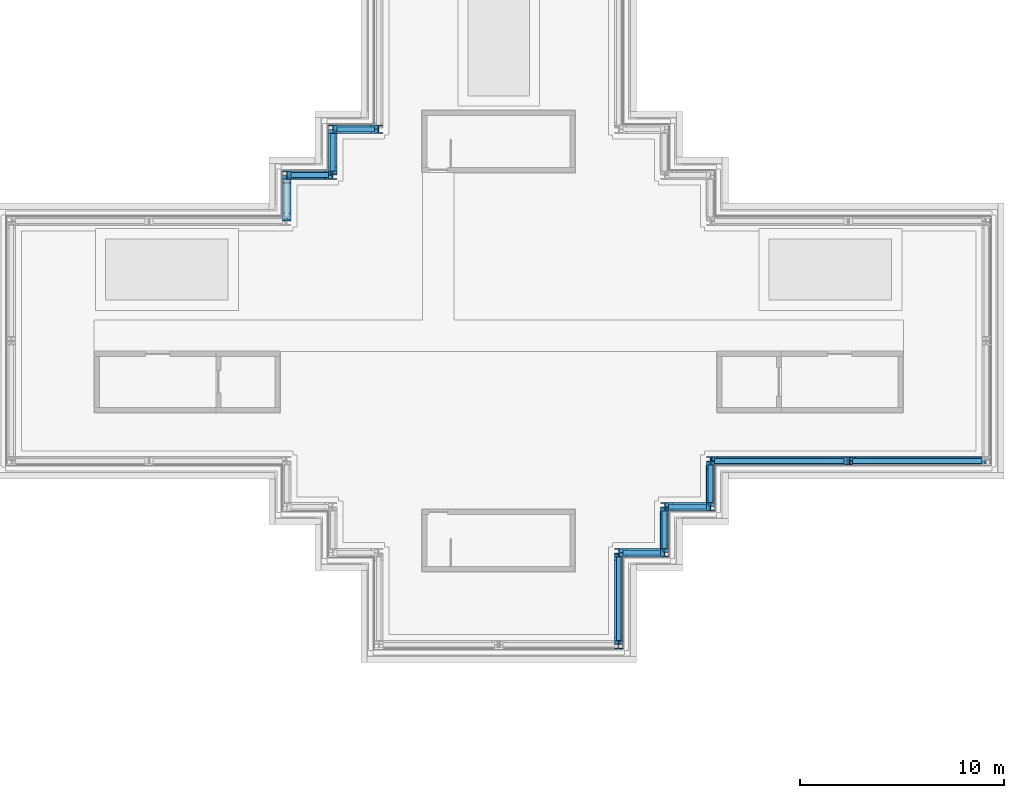
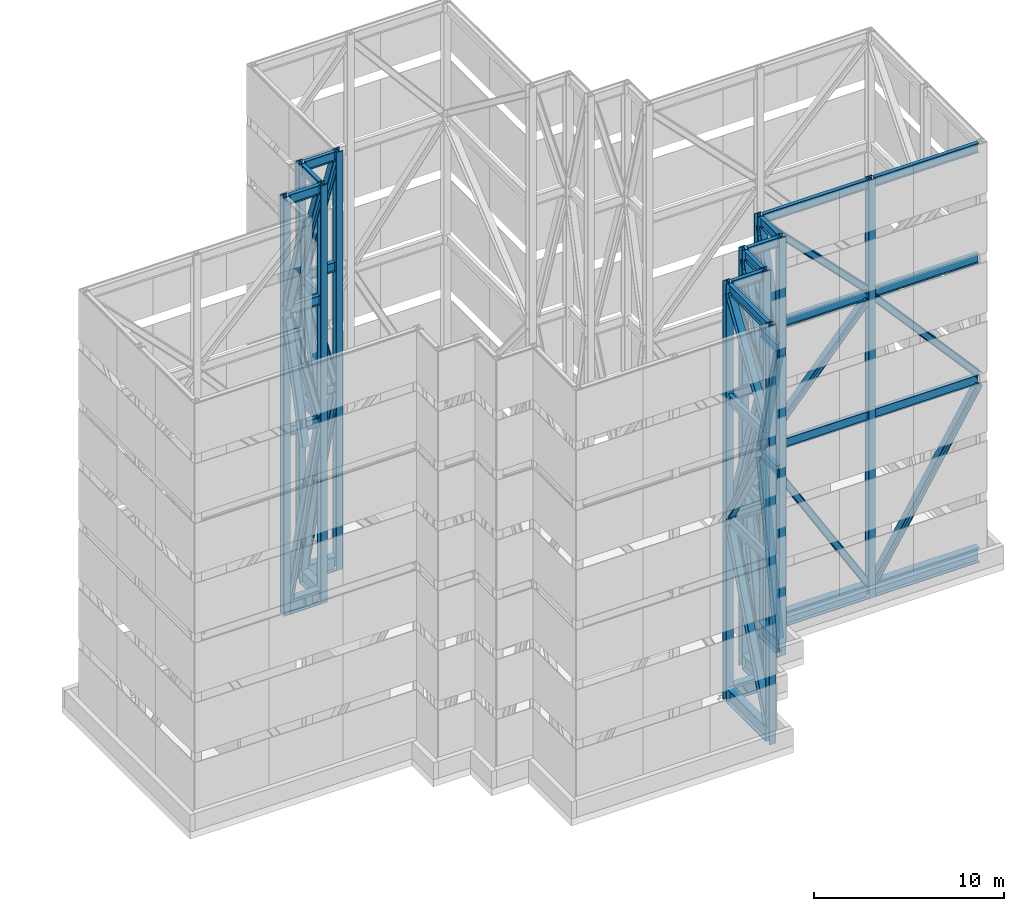
# One storey, part 6 of 19: 82 members.
"""IFC4 building model written with IfcOpenShell, lengths in metres."""

from ifc_helpers import new_model, si_unit, direction, frame, origin, origin_2d, place, context, subcontext, project, spatial, i_section, extrude, material, material_profile, profile_set, type_object, element, save


model = new_model("IFC4")

# Units and contexts
model_context = context("Model", 3, precision=1e-05, world=origin(), true_north=direction((0.0, 1.0)))
body_context = subcontext(model_context, "Body", "Model", "MODEL_VIEW")
ifc_project = project(units=[si_unit("LENGTHUNIT", "METRE"), si_unit("AREAUNIT", "SQUARE_METRE"), si_unit("VOLUMEUNIT", "CUBIC_METRE"), si_unit("PLANEANGLEUNIT", "RADIAN"), si_unit("MASSUNIT", "GRAM", prefix="KILO")], contexts=[model_context])

# Site, building, storey
site_placement = place(None, origin())
site = spatial("IfcSite", under=ifc_project, at=site_placement, CompositionType="ELEMENT")
building_placement = place(site_placement, origin())
building = spatial("IfcBuilding", under=site, at=building_placement, Name="Shamsa Quay Exchange Towers", CompositionType="ELEMENT")
storey_placement = place(building_placement, frame((0.0, 0.0, 284.300048828125)))
storey = spatial("IfcBuildingStorey", under=building, at=storey_placement, Name="Roof", CompositionType="ELEMENT", Elevation=284.300048828125)

# Members
ifc_material = material(Name="Steel S355", Category="steel")
ifc_material_profile_1 = material_profile(ifc_material, i_section(OverallWidth=0.423095703125, OverallDepth=0.947265625, WebThickness=0.02392578125, FlangeThickness=0.042724609375, at=origin_2d()), Name="W36x302")
ifc_profile_set_1 = profile_set([ifc_material_profile_1], Name="Steel S355")
member_type_1 = type_object("IfcMemberType", Name="Crown frame base ring girder W36x302", PredefinedType="USERDEFINED", material=ifc_profile_set_1)
member_1_placement = place(storey_placement, frame((39.625, -14.6669921875, 0.4736328125), z_axis=(0.0, 1.0, 0.0), x_axis=(-1.0, 0.0, 0.0)))
element("IfcMember", 1, at=member_1_placement, inside=storey, type_object=member_type_1, Name="Crown frame base ring girder T2", ObjectType="CROWN FRAME", PredefinedType="USERDEFINED", context=body_context, shape_type="SweptSolid", body=[
    extrude(i_section(OverallWidth=0.423095703125, OverallDepth=0.947265625, WebThickness=0.02392578125, FlangeThickness=0.042724609375, at=origin_2d()), origin(), (0.0, 0.0, 1.0), 4.083984375),
])
member_2_placement = place(storey_placement, frame((39.828125, -10.375, 0.4736328125), z_axis=(1.0, 0.0, 0.0), x_axis=(0.0, 1.0, 0.0)))
element("IfcMember", 2, at=member_2_placement, inside=storey, type_object=member_type_1, Name="Crown frame base ring girder T2", ObjectType="CROWN FRAME", PredefinedType="USERDEFINED", context=body_context, shape_type="SweptSolid", body=[
    extrude(i_section(OverallWidth=0.423095703125, OverallDepth=0.947265625, WebThickness=0.02392578125, FlangeThickness=0.042724609375, at=origin_2d()), origin(), (0.0, 0.0, 1.0), 1.84375),
])
member_3_placement = place(storey_placement, frame((41.875, -10.1669921875, 0.4736328125), z_axis=(0.0, 1.0, 0.0), x_axis=(-1.0, 0.0, 0.0)))
element("IfcMember", 3, at=member_3_placement, inside=storey, type_object=member_type_1, Name="Crown frame base ring girder T2", ObjectType="CROWN FRAME", PredefinedType="USERDEFINED", context=body_context, shape_type="SweptSolid", body=[
    extrude(i_section(OverallWidth=0.423095703125, OverallDepth=0.947265625, WebThickness=0.02392578125, FlangeThickness=0.042724609375, at=origin_2d()), origin(), (0.0, 0.0, 1.0), 1.833984375),
])
member_4_placement = place(storey_placement, frame((42.078125, -8.125, 0.4736328125), z_axis=(1.0, 0.0, 0.0), x_axis=(0.0, 1.0, 0.0)))
element("IfcMember", 4, at=member_4_placement, inside=storey, type_object=member_type_1, Name="Crown frame base ring girder T2", ObjectType="CROWN FRAME", PredefinedType="USERDEFINED", context=body_context, shape_type="SweptSolid", body=[
    extrude(i_section(OverallWidth=0.423095703125, OverallDepth=0.947265625, WebThickness=0.02392578125, FlangeThickness=0.042724609375, at=origin_2d()), origin(), (0.0, 0.0, 1.0), 1.84375),
])
member_5_placement = place(storey_placement, frame((44.125, -7.9169921875, 0.4736328125), z_axis=(0.0, 1.0, 0.0), x_axis=(-1.0, 0.0, 0.0)))
element("IfcMember", 5, at=member_5_placement, inside=storey, type_object=member_type_1, Name="Crown frame base ring girder T2", ObjectType="CROWN FRAME", PredefinedType="USERDEFINED", context=body_context, shape_type="SweptSolid", body=[
    extrude(i_section(OverallWidth=0.423095703125, OverallDepth=0.947265625, WebThickness=0.02392578125, FlangeThickness=0.042724609375, at=origin_2d()), origin(), (0.0, 0.0, 1.0), 1.833984375),
])
for number, where, z_axis, x_axis, name in (
    (6, (44.328125, -5.875, 0.4736328125), (1.0, 0.0, 0.0), (0.0, 1.0, 0.0), "Crown frame base ring girder T2"),
    (7, (51.078125, -5.875, 0.4736328125), (1.0, 0.0, 0.0), (0.0, 1.0, 0.0), "Crown frame base ring girder T2"),
):
    element("IfcMember", number, at=place(storey_placement, frame(where, z_axis=z_axis, x_axis=x_axis)), inside=storey, type_object=member_type_1, Name=name, ObjectType="CROWN FRAME", PredefinedType="USERDEFINED", context=body_context, shape_type="SweptSolid", body=[
        extrude(i_section(OverallWidth=0.423095703125, OverallDepth=0.947265625, WebThickness=0.02392578125, FlangeThickness=0.042724609375, at=origin_2d()), origin(), (0.0, 0.0, 1.0), 6.34375),
    ])
member_6_placement = place(storey_placement, frame((27.671875, 10.375, 0.4736328125), z_axis=(-1.0, 0.0, 0.0), x_axis=(0.0, -1.0, 0.0)))
element("IfcMember", 8, at=member_6_placement, inside=storey, type_object=member_type_1, Name="Crown frame base ring girder T2", ObjectType="CROWN FRAME", PredefinedType="USERDEFINED", context=body_context, shape_type="SweptSolid", body=[
    extrude(i_section(OverallWidth=0.423095703125, OverallDepth=0.947265625, WebThickness=0.02392578125, FlangeThickness=0.042724609375, at=origin_2d()), origin(), (0.0, 0.0, 1.0), 1.84375),
])
member_7_placement = place(storey_placement, frame((25.625, 10.1669921875, 0.4736328125), z_axis=(0.0, -1.0, 0.0), x_axis=(1.0, 0.0, 0.0)))
element("IfcMember", 9, at=member_7_placement, inside=storey, type_object=member_type_1, Name="Crown frame base ring girder T2", ObjectType="CROWN FRAME", PredefinedType="USERDEFINED", context=body_context, shape_type="SweptSolid", body=[
    extrude(i_section(OverallWidth=0.423095703125, OverallDepth=0.947265625, WebThickness=0.02392578125, FlangeThickness=0.042724609375, at=origin_2d()), origin(), (0.0, 0.0, 1.0), 1.833984375),
])
member_8_placement = place(storey_placement, frame((25.421875, 8.125, 0.4736328125), z_axis=(-1.0, 0.0, 0.0), x_axis=(0.0, -1.0, 0.0)))
element("IfcMember", 10, at=member_8_placement, inside=storey, type_object=member_type_1, Name="Crown frame base ring girder T2", ObjectType="CROWN FRAME", PredefinedType="USERDEFINED", context=body_context, shape_type="SweptSolid", body=[
    extrude(i_section(OverallWidth=0.423095703125, OverallDepth=0.947265625, WebThickness=0.02392578125, FlangeThickness=0.042724609375, at=origin_2d()), origin(), (0.0, 0.0, 1.0), 1.84375),
])
ifc_material_profile_2 = material_profile(ifc_material, i_section(OverallWidth=0.403564453125, OverallDepth=0.407470703125, WebThickness=0.027099609375, FlangeThickness=0.043701171875, at=origin_2d()), Name="W14x233")
ifc_profile_set_2 = profile_set([ifc_material_profile_2], Name="Steel S355")
member_type_2 = type_object("IfcMemberType", Name="Crown frame brace W14x233", PredefinedType="USERDEFINED", material=ifc_profile_set_2)
member_9_placement = place(storey_placement, frame((39.625, -14.6669921875, 0.947265625), z_axis=(0.0, 0.364106342135, 0.931357381254), x_axis=(-1.0, 0.0, 0.0)))
element("IfcMember", 11, at=member_9_placement, inside=storey, type_object=member_type_2, Name="Crown frame brace T2", ObjectType="CROWN FRAME", PredefinedType="USERDEFINED", context=body_context, shape_type="SweptSolid", body=[
    extrude(i_section(OverallWidth=0.403564453125, OverallDepth=0.407470703125, WebThickness=0.027099609375, FlangeThickness=0.043701171875, at=origin_2d()), origin(), (0.0, 0.0, 1.0), 11.216552734375),
])
member_10_placement = place(storey_placement, frame((39.625, -14.6669921875, 19.19384765625), z_axis=(0.0, 0.494012959299, -0.869454539378), x_axis=(-1.0, 0.0, 0.0)))
element("IfcMember", 12, at=member_10_placement, inside=storey, type_object=member_type_2, Name="Crown frame brace T2", ObjectType="CROWN FRAME", PredefinedType="USERDEFINED", context=body_context, shape_type="SweptSolid", body=[
    extrude(i_section(OverallWidth=0.403564453125, OverallDepth=0.407470703125, WebThickness=0.027099609375, FlangeThickness=0.043701171875, at=origin_2d()), origin(), (0.0, 0.0, 1.0), 8.266845703125),
])
member_11_placement = place(storey_placement, frame((39.625, -14.6669921875, 19.805908203125), z_axis=(0.0, 0.533071874958, 0.846069959358), x_axis=(-1.0, 0.0, 0.0)))
element("IfcMember", 13, at=member_11_placement, inside=storey, type_object=member_type_2, Name="Crown frame brace T2", ObjectType="CROWN FRAME", PredefinedType="USERDEFINED", context=body_context, shape_type="SweptSolid", body=[
    extrude(i_section(OverallWidth=0.403564453125, OverallDepth=0.407470703125, WebThickness=0.027099609375, FlangeThickness=0.043701171875, at=origin_2d()), origin(), (0.0, 0.0, 1.0), 7.6611328125),
])
member_12_placement = place(storey_placement, frame((39.828125, -10.375, 11.393798828125), z_axis=(0.173807653572, 0.0, -0.984779619793), x_axis=(0.0, 1.0, 0.0)))
element("IfcMember", 14, at=member_12_placement, inside=storey, type_object=member_type_2, Name="Crown frame brace T2", ObjectType="CROWN FRAME", PredefinedType="USERDEFINED", context=body_context, shape_type="SweptSolid", body=[
    extrude(i_section(OverallWidth=0.403564453125, OverallDepth=0.407470703125, WebThickness=0.027099609375, FlangeThickness=0.043701171875, at=origin_2d()), origin(), (0.0, 0.0, 1.0), 10.60791015625),
])
member_13_placement = place(storey_placement, frame((39.828125, -10.375, 12.006103515625), z_axis=(0.248468754818, 0.0, 0.96863991136), x_axis=(0.0, 1.0, 0.0)))
element("IfcMember", 15, at=member_13_placement, inside=storey, type_object=member_type_2, Name="Crown frame brace T2", ObjectType="CROWN FRAME", PredefinedType="USERDEFINED", context=body_context, shape_type="SweptSolid", body=[
    extrude(i_section(OverallWidth=0.403564453125, OverallDepth=0.407470703125, WebThickness=0.027099609375, FlangeThickness=0.043701171875, at=origin_2d()), origin(), (0.0, 0.0, 1.0), 7.42041015625),
])
member_14_placement = place(storey_placement, frame((39.828125, -10.375, 26.287841796875), z_axis=(0.27359172731, 0.0, -0.961845916323), x_axis=(0.0, 1.0, 0.0)))
element("IfcMember", 16, at=member_14_placement, inside=storey, type_object=member_type_2, Name="Crown frame brace T2", ObjectType="CROWN FRAME", PredefinedType="USERDEFINED", context=body_context, shape_type="SweptSolid", body=[
    extrude(i_section(OverallWidth=0.403564453125, OverallDepth=0.407470703125, WebThickness=0.027099609375, FlangeThickness=0.043701171875, at=origin_2d()), origin(), (0.0, 0.0, 1.0), 6.739013671875),
])
member_15_placement = place(storey_placement, frame((41.875, -10.1669921875, 0.947265625), z_axis=(0.0, 0.17291465847, 0.984936810606), x_axis=(-1.0, 0.0, 0.0)))
element("IfcMember", 17, at=member_15_placement, inside=storey, type_object=member_type_2, Name="Crown frame brace T2", ObjectType="CROWN FRAME", PredefinedType="USERDEFINED", context=body_context, shape_type="SweptSolid", body=[
    extrude(i_section(OverallWidth=0.403564453125, OverallDepth=0.407470703125, WebThickness=0.027099609375, FlangeThickness=0.043701171875, at=origin_2d()), origin(), (0.0, 0.0, 1.0), 10.606201171875),
])
member_16_placement = place(storey_placement, frame((41.875, -10.1669921875, 19.19384765625), z_axis=(0.0, 0.247233355894, -0.968955967902), x_axis=(-1.0, 0.0, 0.0)))
element("IfcMember", 18, at=member_16_placement, inside=storey, type_object=member_type_2, Name="Crown frame brace T2", ObjectType="CROWN FRAME", PredefinedType="USERDEFINED", context=body_context, shape_type="SweptSolid", body=[
    extrude(i_section(OverallWidth=0.403564453125, OverallDepth=0.407470703125, WebThickness=0.027099609375, FlangeThickness=0.043701171875, at=origin_2d()), origin(), (0.0, 0.0, 1.0), 7.41796875),
])
member_17_placement = place(storey_placement, frame((41.875, -10.1669921875, 19.805908203125), z_axis=(0.0, 0.272250291508, 0.962226469587), x_axis=(-1.0, 0.0, 0.0)))
element("IfcMember", 19, at=member_17_placement, inside=storey, type_object=member_type_2, Name="Crown frame brace T2", ObjectType="CROWN FRAME", PredefinedType="USERDEFINED", context=body_context, shape_type="SweptSolid", body=[
    extrude(i_section(OverallWidth=0.403564453125, OverallDepth=0.407470703125, WebThickness=0.027099609375, FlangeThickness=0.043701171875, at=origin_2d()), origin(), (0.0, 0.0, 1.0), 6.736328125),
])
member_18_placement = place(storey_placement, frame((42.078125, -8.125, 11.393798828125), z_axis=(0.173807653572, 0.0, -0.984779619793), x_axis=(0.0, 1.0, 0.0)))
element("IfcMember", 20, at=member_18_placement, inside=storey, type_object=member_type_2, Name="Crown frame brace T2", ObjectType="CROWN FRAME", PredefinedType="USERDEFINED", context=body_context, shape_type="SweptSolid", body=[
    extrude(i_section(OverallWidth=0.403564453125, OverallDepth=0.407470703125, WebThickness=0.027099609375, FlangeThickness=0.043701171875, at=origin_2d()), origin(), (0.0, 0.0, 1.0), 10.60791015625),
])
member_19_placement = place(storey_placement, frame((42.078125, -8.125, 12.006103515625), z_axis=(0.248468754818, 0.0, 0.96863991136), x_axis=(0.0, 1.0, 0.0)))
element("IfcMember", 21, at=member_19_placement, inside=storey, type_object=member_type_2, Name="Crown frame brace T2", ObjectType="CROWN FRAME", PredefinedType="USERDEFINED", context=body_context, shape_type="SweptSolid", body=[
    extrude(i_section(OverallWidth=0.403564453125, OverallDepth=0.407470703125, WebThickness=0.027099609375, FlangeThickness=0.043701171875, at=origin_2d()), origin(), (0.0, 0.0, 1.0), 7.42041015625),
])
member_20_placement = place(storey_placement, frame((42.078125, -8.125, 26.287841796875), z_axis=(0.27359172731, 0.0, -0.961845916323), x_axis=(0.0, 1.0, 0.0)))
element("IfcMember", 22, at=member_20_placement, inside=storey, type_object=member_type_2, Name="Crown frame brace T2", ObjectType="CROWN FRAME", PredefinedType="USERDEFINED", context=body_context, shape_type="SweptSolid", body=[
    extrude(i_section(OverallWidth=0.403564453125, OverallDepth=0.407470703125, WebThickness=0.027099609375, FlangeThickness=0.043701171875, at=origin_2d()), origin(), (0.0, 0.0, 1.0), 6.739013671875),
])
member_21_placement = place(storey_placement, frame((44.125, -7.9169921875, 0.947265625), z_axis=(0.0, 0.17291465847, 0.984936810606), x_axis=(-1.0, 0.0, 0.0)))
element("IfcMember", 23, at=member_21_placement, inside=storey, type_object=member_type_2, Name="Crown frame brace T2", ObjectType="CROWN FRAME", PredefinedType="USERDEFINED", context=body_context, shape_type="SweptSolid", body=[
    extrude(i_section(OverallWidth=0.403564453125, OverallDepth=0.407470703125, WebThickness=0.027099609375, FlangeThickness=0.043701171875, at=origin_2d()), origin(), (0.0, 0.0, 1.0), 10.606201171875),
])
member_22_placement = place(storey_placement, frame((44.125, -7.9169921875, 19.19384765625), z_axis=(0.0, 0.247233355894, -0.968955967902), x_axis=(-1.0, 0.0, 0.0)))
element("IfcMember", 24, at=member_22_placement, inside=storey, type_object=member_type_2, Name="Crown frame brace T2", ObjectType="CROWN FRAME", PredefinedType="USERDEFINED", context=body_context, shape_type="SweptSolid", body=[
    extrude(i_section(OverallWidth=0.403564453125, OverallDepth=0.407470703125, WebThickness=0.027099609375, FlangeThickness=0.043701171875, at=origin_2d()), origin(), (0.0, 0.0, 1.0), 7.41796875),
])
member_23_placement = place(storey_placement, frame((44.125, -7.9169921875, 19.805908203125), z_axis=(0.0, 0.272250291508, 0.962226469587), x_axis=(-1.0, 0.0, 0.0)))
element("IfcMember", 25, at=member_23_placement, inside=storey, type_object=member_type_2, Name="Crown frame brace T2", ObjectType="CROWN FRAME", PredefinedType="USERDEFINED", context=body_context, shape_type="SweptSolid", body=[
    extrude(i_section(OverallWidth=0.403564453125, OverallDepth=0.407470703125, WebThickness=0.027099609375, FlangeThickness=0.043701171875, at=origin_2d()), origin(), (0.0, 0.0, 1.0), 6.736328125),
])
member_24_placement = place(storey_placement, frame((44.328125, -5.875, 11.393798828125), z_axis=(0.519050588784, 0.0, -0.854743520761), x_axis=(0.0, 1.0, 0.0)))
element("IfcMember", 26, at=member_24_placement, inside=storey, type_object=member_type_2, Name="Crown frame brace T2", ObjectType="CROWN FRAME", PredefinedType="USERDEFINED", context=body_context, shape_type="SweptSolid", body=[
    extrude(i_section(OverallWidth=0.403564453125, OverallDepth=0.407470703125, WebThickness=0.027099609375, FlangeThickness=0.043701171875, at=origin_2d()), origin(), (0.0, 0.0, 1.0), 12.221923828125),
])
member_25_placement = place(storey_placement, frame((44.328125, -5.875, 12.006103515625), z_axis=(0.661716808405, 0.0, 0.74975386993), x_axis=(0.0, 1.0, 0.0)))
element("IfcMember", 27, at=member_25_placement, inside=storey, type_object=member_type_2, Name="Crown frame brace T2", ObjectType="CROWN FRAME", PredefinedType="USERDEFINED", context=body_context, shape_type="SweptSolid", body=[
    extrude(i_section(OverallWidth=0.403564453125, OverallDepth=0.407470703125, WebThickness=0.027099609375, FlangeThickness=0.043701171875, at=origin_2d()), origin(), (0.0, 0.0, 1.0), 9.5869140625),
])
member_26_placement = place(storey_placement, frame((44.328125, -5.875, 26.287841796875), z_axis=(0.699447836177, 0.0, -0.714683653421), x_axis=(0.0, 1.0, 0.0)))
element("IfcMember", 28, at=member_26_placement, inside=storey, type_object=member_type_2, Name="Crown frame brace T2", ObjectType="CROWN FRAME", PredefinedType="USERDEFINED", context=body_context, shape_type="SweptSolid", body=[
    extrude(i_section(OverallWidth=0.403564453125, OverallDepth=0.407470703125, WebThickness=0.027099609375, FlangeThickness=0.043701171875, at=origin_2d()), origin(), (0.0, 0.0, 1.0), 9.069580078125),
])
member_27_placement = place(storey_placement, frame((51.078125, -5.875, 0.947265625), z_axis=(0.519050588784, 0.0, 0.854743520761), x_axis=(0.0, 1.0, 0.0)))
element("IfcMember", 29, at=member_27_placement, inside=storey, type_object=member_type_2, Name="Crown frame brace T2", ObjectType="CROWN FRAME", PredefinedType="USERDEFINED", context=body_context, shape_type="SweptSolid", body=[
    extrude(i_section(OverallWidth=0.403564453125, OverallDepth=0.407470703125, WebThickness=0.027099609375, FlangeThickness=0.043701171875, at=origin_2d()), origin(), (0.0, 0.0, 1.0), 12.221923828125),
])
member_28_placement = place(storey_placement, frame((51.078125, -5.875, 19.19384765625), z_axis=(0.661716808405, 0.0, -0.74975386993), x_axis=(0.0, 1.0, 0.0)))
element("IfcMember", 30, at=member_28_placement, inside=storey, type_object=member_type_2, Name="Crown frame brace T2", ObjectType="CROWN FRAME", PredefinedType="USERDEFINED", context=body_context, shape_type="SweptSolid", body=[
    extrude(i_section(OverallWidth=0.403564453125, OverallDepth=0.407470703125, WebThickness=0.027099609375, FlangeThickness=0.043701171875, at=origin_2d()), origin(), (0.0, 0.0, 1.0), 9.5869140625),
])
member_29_placement = place(storey_placement, frame((27.671875, 10.375, 11.393798828125), z_axis=(-0.173807653572, 0.0, -0.984779619793), x_axis=(0.0, -1.0, 0.0)))
element("IfcMember", 31, at=member_29_placement, inside=storey, type_object=member_type_2, Name="Crown frame brace T2", ObjectType="CROWN FRAME", PredefinedType="USERDEFINED", context=body_context, shape_type="SweptSolid", body=[
    extrude(i_section(OverallWidth=0.403564453125, OverallDepth=0.407470703125, WebThickness=0.027099609375, FlangeThickness=0.043701171875, at=origin_2d()), origin(), (0.0, 0.0, 1.0), 10.60791015625),
])
member_30_placement = place(storey_placement, frame((27.671875, 10.375, 12.006103515625), z_axis=(-0.248468754818, 0.0, 0.96863991136), x_axis=(0.0, -1.0, 0.0)))
element("IfcMember", 32, at=member_30_placement, inside=storey, type_object=member_type_2, Name="Crown frame brace T2", ObjectType="CROWN FRAME", PredefinedType="USERDEFINED", context=body_context, shape_type="SweptSolid", body=[
    extrude(i_section(OverallWidth=0.403564453125, OverallDepth=0.407470703125, WebThickness=0.027099609375, FlangeThickness=0.043701171875, at=origin_2d()), origin(), (0.0, 0.0, 1.0), 7.42041015625),
])
member_31_placement = place(storey_placement, frame((27.671875, 10.375, 26.287841796875), z_axis=(-0.27359172731, 0.0, -0.961845916323), x_axis=(0.0, -1.0, 0.0)))
element("IfcMember", 33, at=member_31_placement, inside=storey, type_object=member_type_2, Name="Crown frame brace T2", ObjectType="CROWN FRAME", PredefinedType="USERDEFINED", context=body_context, shape_type="SweptSolid", body=[
    extrude(i_section(OverallWidth=0.403564453125, OverallDepth=0.407470703125, WebThickness=0.027099609375, FlangeThickness=0.043701171875, at=origin_2d()), origin(), (0.0, 0.0, 1.0), 6.739013671875),
])
member_32_placement = place(storey_placement, frame((25.625, 10.1669921875, 0.947265625), z_axis=(0.0, -0.17291465847, 0.984936810606), x_axis=(1.0, 0.0, 0.0)))
element("IfcMember", 34, at=member_32_placement, inside=storey, type_object=member_type_2, Name="Crown frame brace T2", ObjectType="CROWN FRAME", PredefinedType="USERDEFINED", context=body_context, shape_type="SweptSolid", body=[
    extrude(i_section(OverallWidth=0.403564453125, OverallDepth=0.407470703125, WebThickness=0.027099609375, FlangeThickness=0.043701171875, at=origin_2d()), origin(), (0.0, 0.0, 1.0), 10.606201171875),
])
member_33_placement = place(storey_placement, frame((25.625, 10.1669921875, 19.19384765625), z_axis=(0.0, -0.247233355894, -0.968955967902), x_axis=(1.0, 0.0, 0.0)))
element("IfcMember", 35, at=member_33_placement, inside=storey, type_object=member_type_2, Name="Crown frame brace T2", ObjectType="CROWN FRAME", PredefinedType="USERDEFINED", context=body_context, shape_type="SweptSolid", body=[
    extrude(i_section(OverallWidth=0.403564453125, OverallDepth=0.407470703125, WebThickness=0.027099609375, FlangeThickness=0.043701171875, at=origin_2d()), origin(), (0.0, 0.0, 1.0), 7.41796875),
])
member_34_placement = place(storey_placement, frame((25.625, 10.1669921875, 19.805908203125), z_axis=(0.0, -0.272250291508, 0.962226469587), x_axis=(1.0, 0.0, 0.0)))
element("IfcMember", 36, at=member_34_placement, inside=storey, type_object=member_type_2, Name="Crown frame brace T2", ObjectType="CROWN FRAME", PredefinedType="USERDEFINED", context=body_context, shape_type="SweptSolid", body=[
    extrude(i_section(OverallWidth=0.403564453125, OverallDepth=0.407470703125, WebThickness=0.027099609375, FlangeThickness=0.043701171875, at=origin_2d()), origin(), (0.0, 0.0, 1.0), 6.736328125),
])
member_35_placement = place(storey_placement, frame((25.421875, 8.125, 11.393798828125), z_axis=(-0.173807653572, 0.0, -0.984779619793), x_axis=(0.0, -1.0, 0.0)))
element("IfcMember", 37, at=member_35_placement, inside=storey, type_object=member_type_2, Name="Crown frame brace T2", ObjectType="CROWN FRAME", PredefinedType="USERDEFINED", context=body_context, shape_type="SweptSolid", body=[
    extrude(i_section(OverallWidth=0.403564453125, OverallDepth=0.407470703125, WebThickness=0.027099609375, FlangeThickness=0.043701171875, at=origin_2d()), origin(), (0.0, 0.0, 1.0), 10.60791015625),
])
member_36_placement = place(storey_placement, frame((25.421875, 8.125, 12.006103515625), z_axis=(-0.248468754818, 0.0, 0.96863991136), x_axis=(0.0, -1.0, 0.0)))
element("IfcMember", 38, at=member_36_placement, inside=storey, type_object=member_type_2, Name="Crown frame brace T2", ObjectType="CROWN FRAME", PredefinedType="USERDEFINED", context=body_context, shape_type="SweptSolid", body=[
    extrude(i_section(OverallWidth=0.403564453125, OverallDepth=0.407470703125, WebThickness=0.027099609375, FlangeThickness=0.043701171875, at=origin_2d()), origin(), (0.0, 0.0, 1.0), 7.42041015625),
])
member_37_placement = place(storey_placement, frame((25.421875, 8.125, 26.287841796875), z_axis=(-0.27359172731, 0.0, -0.961845916323), x_axis=(0.0, -1.0, 0.0)))
element("IfcMember", 39, at=member_37_placement, inside=storey, type_object=member_type_2, Name="Crown frame brace T2", ObjectType="CROWN FRAME", PredefinedType="USERDEFINED", context=body_context, shape_type="SweptSolid", body=[
    extrude(i_section(OverallWidth=0.403564453125, OverallDepth=0.407470703125, WebThickness=0.027099609375, FlangeThickness=0.043701171875, at=origin_2d()), origin(), (0.0, 0.0, 1.0), 6.739013671875),
])
member_38_placement = place(storey_placement, frame((23.375, 7.9169921875, 19.19384765625), z_axis=(0.0, -0.247233355894, -0.968955967902), x_axis=(1.0, 0.0, 0.0)))
element("IfcMember", 40, at=member_38_placement, inside=storey, type_object=member_type_2, Name="Crown frame brace T2", ObjectType="CROWN FRAME", PredefinedType="USERDEFINED", context=body_context, shape_type="SweptSolid", body=[
    extrude(i_section(OverallWidth=0.403564453125, OverallDepth=0.407470703125, WebThickness=0.027099609375, FlangeThickness=0.043701171875, at=origin_2d()), origin(), (0.0, 0.0, 1.0), 7.41796875),
])
member_39_placement = place(storey_placement, frame((23.375, 7.9169921875, 19.805908203125), z_axis=(0.0, -0.272250291508, 0.962226469587), x_axis=(1.0, 0.0, 0.0)))
element("IfcMember", 41, at=member_39_placement, inside=storey, type_object=member_type_2, Name="Crown frame brace T2", ObjectType="CROWN FRAME", PredefinedType="USERDEFINED", context=body_context, shape_type="SweptSolid", body=[
    extrude(i_section(OverallWidth=0.403564453125, OverallDepth=0.407470703125, WebThickness=0.027099609375, FlangeThickness=0.043701171875, at=origin_2d()), origin(), (0.0, 0.0, 1.0), 6.736328125),
])
ifc_material_profile_3 = material_profile(ifc_material, i_section(OverallWidth=0.40625, OverallDepth=0.416015625, WebThickness=0.02978515625, FlangeThickness=0.048095703125, at=origin_2d()), Name="W14x257")
ifc_profile_set_3 = profile_set([ifc_material_profile_3], Name="Steel S355")
member_type_3 = type_object("IfcMemberType", Name="Crown frame post W14x257", PredefinedType="USERDEFINED", material=ifc_profile_set_3)
for number, where, name in (
    (42, (39.625, -14.875, 0.0), "Crown frame post T2"),
    (43, (39.625, -10.375, 0.0), "Crown frame post T2"),
    (44, (41.875, -10.375, 0.0), "Crown frame post T2"),
    (45, (41.875, -8.125, 0.0), "Crown frame post T2"),
    (46, (44.125, -8.125, 0.0), "Crown frame post T2"),
    (47, (44.125, -5.875, 0.0), "Crown frame post T2"),
    (48, (50.875, -5.875, 0.0), "Crown frame post T2"),
    (49, (27.875, 10.375, 0.0), "Crown frame post T2"),
    (50, (25.625, 10.375, 0.0), "Crown frame post T2"),
    (51, (25.625, 8.125, 0.0), "Crown frame post T2"),
    (52, (23.375, 8.125, 0.0), "Crown frame post T2"),
):
    element("IfcMember", number, at=place(storey_placement, frame(where)), inside=storey, type_object=member_type_3, Name=name, ObjectType="CROWN FRAME", PredefinedType="USERDEFINED", context=body_context, shape_type="SweptSolid", body=[
        extrude(i_section(OverallWidth=0.40625, OverallDepth=0.416015625, WebThickness=0.02978515625, FlangeThickness=0.048095703125, at=origin_2d()), origin(), (0.0, 0.0, 1.0), 26.89990234375),
    ])
ifc_material_profile_4 = material_profile(ifc_material, i_section(OverallWidth=0.22900390625, OverallDepth=0.612060546875, WebThickness=0.011962890625, FlangeThickness=0.01953125, at=origin_2d()), Name="W24x84")
ifc_profile_set_4 = profile_set([ifc_material_profile_4], Name="Steel S355")
member_type_4 = type_object("IfcMemberType", Name="Crown frame ring beam W24x84", PredefinedType="USERDEFINED", material=ifc_profile_set_4)
for number, where, z_axis, x_axis, name in (
    (53, (39.625, -14.6669921875, 11.699951171875), (0.0, 1.0, 0.0), (-1.0, 0.0, 0.0), "Crown frame ring beam T2"),
    (54, (39.625, -14.6669921875, 19.5), (0.0, 1.0, 0.0), (-1.0, 0.0, 0.0), "Crown frame ring beam T2"),
    (55, (39.625, -14.6669921875, 26.593994140625), (0.0, 1.0, 0.0), (-1.0, 0.0, 0.0), "Crown frame ring beam T2"),
):
    element("IfcMember", number, at=place(storey_placement, frame(where, z_axis=z_axis, x_axis=x_axis)), inside=storey, type_object=member_type_4, Name=name, ObjectType="CROWN FRAME", PredefinedType="USERDEFINED", context=body_context, shape_type="SweptSolid", body=[
        extrude(i_section(OverallWidth=0.22900390625, OverallDepth=0.612060546875, WebThickness=0.011962890625, FlangeThickness=0.01953125, at=origin_2d()), origin(), (0.0, 0.0, 1.0), 4.083984375),
    ])
for number, where, z_axis, x_axis, name in (
    (56, (39.828125, -10.375, 11.699951171875), (1.0, 0.0, 0.0), (0.0, 1.0, 0.0), "Crown frame ring beam T2"),
    (57, (39.828125, -10.375, 19.5), (1.0, 0.0, 0.0), (0.0, 1.0, 0.0), "Crown frame ring beam T2"),
    (58, (39.828125, -10.375, 26.593994140625), (1.0, 0.0, 0.0), (0.0, 1.0, 0.0), "Crown frame ring beam T2"),
):
    element("IfcMember", number, at=place(storey_placement, frame(where, z_axis=z_axis, x_axis=x_axis)), inside=storey, type_object=member_type_4, Name=name, ObjectType="CROWN FRAME", PredefinedType="USERDEFINED", context=body_context, shape_type="SweptSolid", body=[
        extrude(i_section(OverallWidth=0.22900390625, OverallDepth=0.612060546875, WebThickness=0.011962890625, FlangeThickness=0.01953125, at=origin_2d()), origin(), (0.0, 0.0, 1.0), 1.84375),
    ])
for number, where, z_axis, x_axis, name in (
    (59, (41.875, -10.1669921875, 11.699951171875), (0.0, 1.0, 0.0), (-1.0, 0.0, 0.0), "Crown frame ring beam T2"),
    (60, (41.875, -10.1669921875, 19.5), (0.0, 1.0, 0.0), (-1.0, 0.0, 0.0), "Crown frame ring beam T2"),
    (61, (41.875, -10.1669921875, 26.593994140625), (0.0, 1.0, 0.0), (-1.0, 0.0, 0.0), "Crown frame ring beam T2"),
):
    element("IfcMember", number, at=place(storey_placement, frame(where, z_axis=z_axis, x_axis=x_axis)), inside=storey, type_object=member_type_4, Name=name, ObjectType="CROWN FRAME", PredefinedType="USERDEFINED", context=body_context, shape_type="SweptSolid", body=[
        extrude(i_section(OverallWidth=0.22900390625, OverallDepth=0.612060546875, WebThickness=0.011962890625, FlangeThickness=0.01953125, at=origin_2d()), origin(), (0.0, 0.0, 1.0), 1.833984375),
    ])
for number, where, z_axis, x_axis, name in (
    (62, (42.078125, -8.125, 11.699951171875), (1.0, 0.0, 0.0), (0.0, 1.0, 0.0), "Crown frame ring beam T2"),
    (63, (42.078125, -8.125, 19.5), (1.0, 0.0, 0.0), (0.0, 1.0, 0.0), "Crown frame ring beam T2"),
    (64, (42.078125, -8.125, 26.593994140625), (1.0, 0.0, 0.0), (0.0, 1.0, 0.0), "Crown frame ring beam T2"),
):
    element("IfcMember", number, at=place(storey_placement, frame(where, z_axis=z_axis, x_axis=x_axis)), inside=storey, type_object=member_type_4, Name=name, ObjectType="CROWN FRAME", PredefinedType="USERDEFINED", context=body_context, shape_type="SweptSolid", body=[
        extrude(i_section(OverallWidth=0.22900390625, OverallDepth=0.612060546875, WebThickness=0.011962890625, FlangeThickness=0.01953125, at=origin_2d()), origin(), (0.0, 0.0, 1.0), 1.84375),
    ])
for number, where, z_axis, x_axis, name in (
    (65, (44.125, -7.9169921875, 11.699951171875), (0.0, 1.0, 0.0), (-1.0, 0.0, 0.0), "Crown frame ring beam T2"),
    (66, (44.125, -7.9169921875, 19.5), (0.0, 1.0, 0.0), (-1.0, 0.0, 0.0), "Crown frame ring beam T2"),
    (67, (44.125, -7.9169921875, 26.593994140625), (0.0, 1.0, 0.0), (-1.0, 0.0, 0.0), "Crown frame ring beam T2"),
):
    element("IfcMember", number, at=place(storey_placement, frame(where, z_axis=z_axis, x_axis=x_axis)), inside=storey, type_object=member_type_4, Name=name, ObjectType="CROWN FRAME", PredefinedType="USERDEFINED", context=body_context, shape_type="SweptSolid", body=[
        extrude(i_section(OverallWidth=0.22900390625, OverallDepth=0.612060546875, WebThickness=0.011962890625, FlangeThickness=0.01953125, at=origin_2d()), origin(), (0.0, 0.0, 1.0), 1.833984375),
    ])
for number, where, z_axis, x_axis, name in (
    (68, (44.328125, -5.875, 11.699951171875), (1.0, 0.0, 0.0), (0.0, 1.0, 0.0), "Crown frame ring beam T2"),
    (69, (44.328125, -5.875, 19.5), (1.0, 0.0, 0.0), (0.0, 1.0, 0.0), "Crown frame ring beam T2"),
    (70, (44.328125, -5.875, 26.593994140625), (1.0, 0.0, 0.0), (0.0, 1.0, 0.0), "Crown frame ring beam T2"),
    (71, (51.078125, -5.875, 11.699951171875), (1.0, 0.0, 0.0), (0.0, 1.0, 0.0), "Crown frame ring beam T2"),
    (72, (51.078125, -5.875, 19.5), (1.0, 0.0, 0.0), (0.0, 1.0, 0.0), "Crown frame ring beam T2"),
    (73, (51.078125, -5.875, 26.593994140625), (1.0, 0.0, 0.0), (0.0, 1.0, 0.0), "Crown frame ring beam T2"),
):
    element("IfcMember", number, at=place(storey_placement, frame(where, z_axis=z_axis, x_axis=x_axis)), inside=storey, type_object=member_type_4, Name=name, ObjectType="CROWN FRAME", PredefinedType="USERDEFINED", context=body_context, shape_type="SweptSolid", body=[
        extrude(i_section(OverallWidth=0.22900390625, OverallDepth=0.612060546875, WebThickness=0.011962890625, FlangeThickness=0.01953125, at=origin_2d()), origin(), (0.0, 0.0, 1.0), 6.34375),
    ])
for number, where, z_axis, x_axis, name in (
    (74, (27.671875, 10.375, 11.699951171875), (-1.0, 0.0, 0.0), (0.0, -1.0, 0.0), "Crown frame ring beam T2"),
    (75, (27.671875, 10.375, 19.5), (-1.0, 0.0, 0.0), (0.0, -1.0, 0.0), "Crown frame ring beam T2"),
    (76, (27.671875, 10.375, 26.593994140625), (-1.0, 0.0, 0.0), (0.0, -1.0, 0.0), "Crown frame ring beam T2"),
):
    element("IfcMember", number, at=place(storey_placement, frame(where, z_axis=z_axis, x_axis=x_axis)), inside=storey, type_object=member_type_4, Name=name, ObjectType="CROWN FRAME", PredefinedType="USERDEFINED", context=body_context, shape_type="SweptSolid", body=[
        extrude(i_section(OverallWidth=0.22900390625, OverallDepth=0.612060546875, WebThickness=0.011962890625, FlangeThickness=0.01953125, at=origin_2d()), origin(), (0.0, 0.0, 1.0), 1.84375),
    ])
for number, where, z_axis, x_axis, name in (
    (77, (25.625, 10.1669921875, 11.699951171875), (0.0, -1.0, 0.0), (1.0, 0.0, 0.0), "Crown frame ring beam T2"),
    (78, (25.625, 10.1669921875, 19.5), (0.0, -1.0, 0.0), (1.0, 0.0, 0.0), "Crown frame ring beam T2"),
    (79, (25.625, 10.1669921875, 26.593994140625), (0.0, -1.0, 0.0), (1.0, 0.0, 0.0), "Crown frame ring beam T2"),
):
    element("IfcMember", number, at=place(storey_placement, frame(where, z_axis=z_axis, x_axis=x_axis)), inside=storey, type_object=member_type_4, Name=name, ObjectType="CROWN FRAME", PredefinedType="USERDEFINED", context=body_context, shape_type="SweptSolid", body=[
        extrude(i_section(OverallWidth=0.22900390625, OverallDepth=0.612060546875, WebThickness=0.011962890625, FlangeThickness=0.01953125, at=origin_2d()), origin(), (0.0, 0.0, 1.0), 1.833984375),
    ])
for number, where, z_axis, x_axis, name in (
    (80, (25.421875, 8.125, 11.699951171875), (-1.0, 0.0, 0.0), (0.0, -1.0, 0.0), "Crown frame ring beam T2"),
    (81, (25.421875, 8.125, 19.5), (-1.0, 0.0, 0.0), (0.0, -1.0, 0.0), "Crown frame ring beam T2"),
    (82, (25.421875, 8.125, 26.593994140625), (-1.0, 0.0, 0.0), (0.0, -1.0, 0.0), "Crown frame ring beam T2"),
):
    element("IfcMember", number, at=place(storey_placement, frame(where, z_axis=z_axis, x_axis=x_axis)), inside=storey, type_object=member_type_4, Name=name, ObjectType="CROWN FRAME", PredefinedType="USERDEFINED", context=body_context, shape_type="SweptSolid", body=[
        extrude(i_section(OverallWidth=0.22900390625, OverallDepth=0.612060546875, WebThickness=0.011962890625, FlangeThickness=0.01953125, at=origin_2d()), origin(), (0.0, 0.0, 1.0), 1.84375),
    ])

save(model, "model.ifc")
